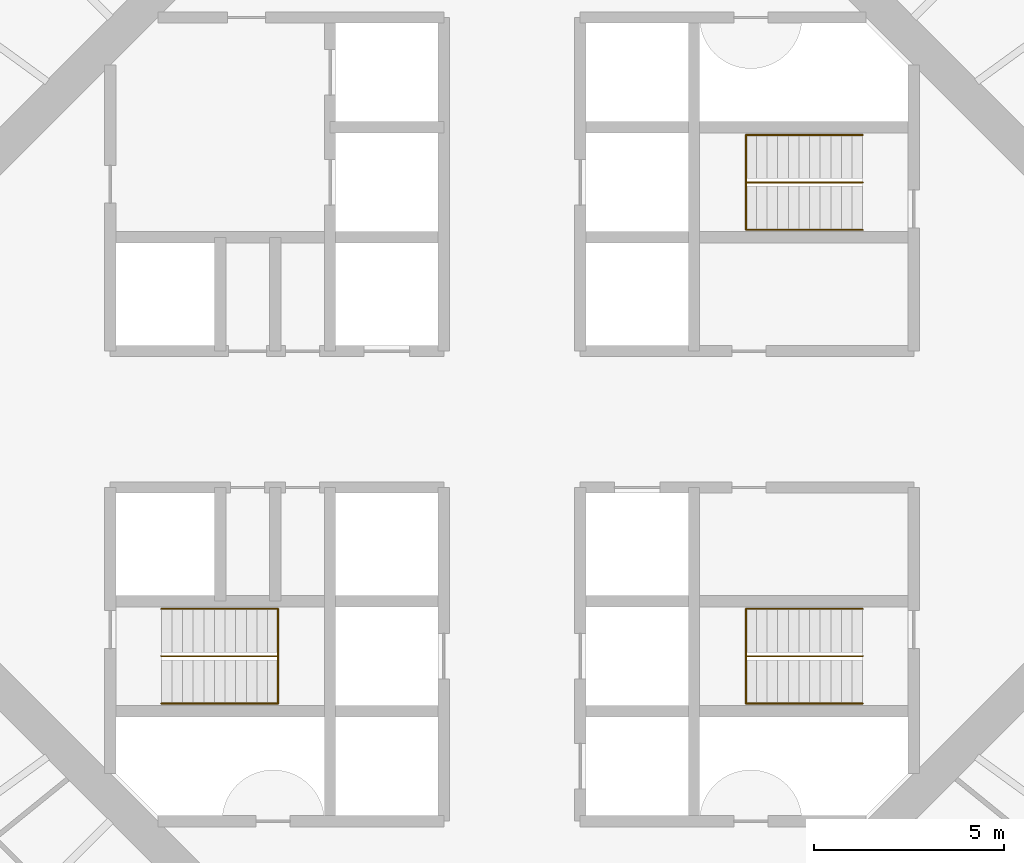
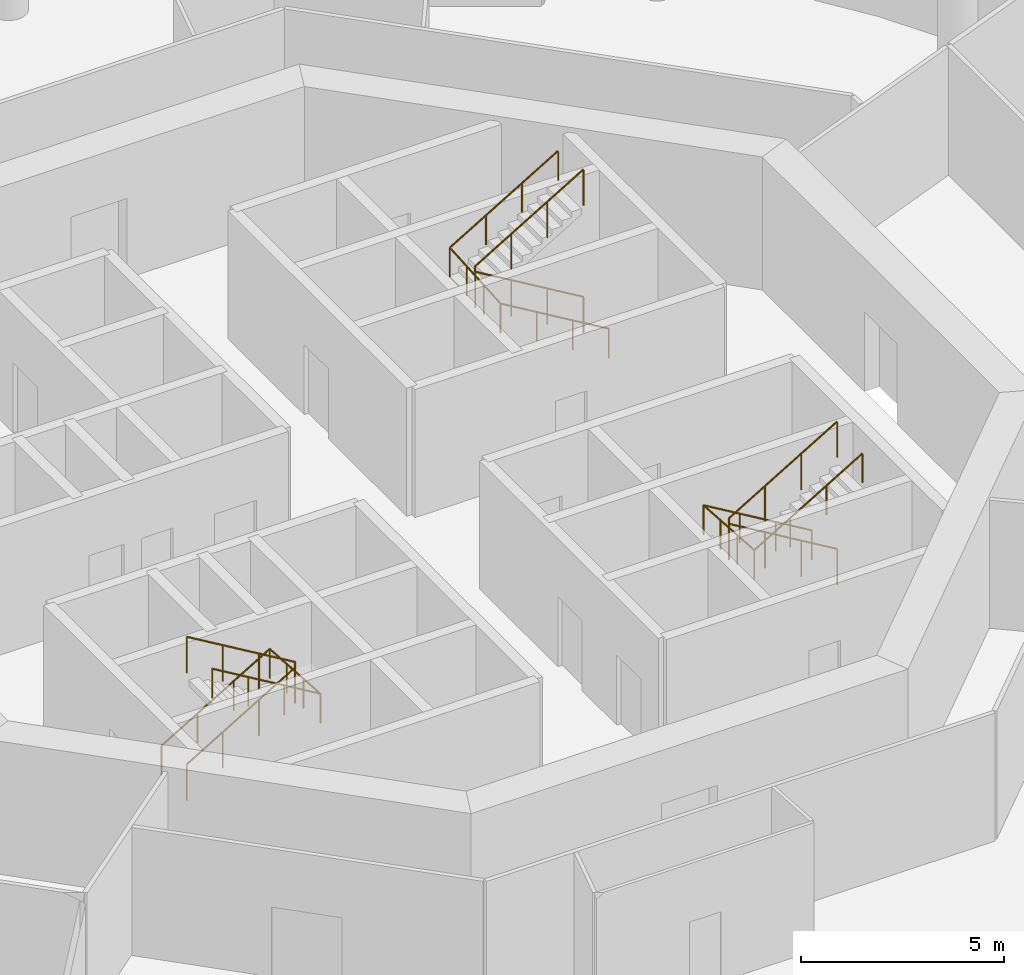
# One storey, part 12 of 12: 6 railings.
"""IFC4 building model written with IfcOpenShell, lengths in metres."""

import ifcopenshell
import ifcopenshell.guid

model = None  # the IFC model being written
_history = None  # IfcOwnerHistory: only IFC2X3 demands one
_inside = {}  # id of a spatial element -> (the spatial element, [elements in it])
_under = {}  # id of a project, library or spatial element -> (it, [spatial elements below it])
_declared = {}  # id of a project -> (the project, [libraries it declares])
_typed = {}  # id of a type object -> (the type object, [elements of that type])
_made_of = {}  # id of a material, layer set ... -> (it, [elements and type objects made of it])


def new_model(schema):
    """Start an empty IFC model of exactly this schema.

    Asked for "IFC4X3", IfcOpenShell would pick the latest addendum, in which some entities
    have other attributes; the version numbers below select the first issue.
    IFC2X3 requires an IfcOwnerHistory on every rooted entity: one is made here for all.
    """
    global model, _history
    if schema == "IFC4X3":
        model = ifcopenshell.file(schema_version=(4, 3, 0, 0))
    else:
        model = ifcopenshell.file(schema=schema)
    _inside.clear()
    _under.clear()
    _declared.clear()
    _typed.clear()
    _made_of.clear()
    _history = None
    if model.schema == "IFC2X3":
        org = make("IfcOrganization", Name="unknown")
        user = make(
            "IfcPersonAndOrganization",
            ThePerson=make("IfcPerson", FamilyName="unknown"),
            TheOrganization=org,
        )
        app = make(
            "IfcApplication",
            ApplicationDeveloper=org,
            Version="unknown",
            ApplicationFullName="unknown",
            ApplicationIdentifier="unknown",
        )
        _history = make(
            "IfcOwnerHistory",
            OwningUser=user,
            OwningApplication=app,
            ChangeAction="ADDED",
            CreationDate=0,
        )
    return model


def make(cls, **values):
    """One entity of the class cls with the attributes given. An attribute that is None is left unset."""
    return model.create_entity(
        cls, **{name: value for name, value in values.items() if value is not None}
    )


def rooted(cls, **values):
    """An entity with a GlobalId (a new one), such as an element, a storey or a relation."""
    return make(cls, GlobalId=ifcopenshell.guid.new(), OwnerHistory=_history, **values)


def si_unit(unit_type, name, prefix=None):
    """IfcSIUnit, for example si_unit("LENGTHUNIT", "METRE", prefix="MILLI")."""
    return make("IfcSIUnit", UnitType=unit_type, Prefix=prefix, Name=name)


def assignment(units):
    """IfcUnitAssignment: the units of a project."""
    return None if units is None else make("IfcUnitAssignment", Units=units)


def point(xyz):
    """IfcCartesianPoint."""
    return None if xyz is None else make("IfcCartesianPoint", Coordinates=xyz)


def direction(xyz):
    """IfcDirection."""
    return None if xyz is None else make("IfcDirection", DirectionRatios=xyz)


def frame(location, z_axis=None, x_axis=None):
    """IfcAxis2Placement3D, a coordinate frame: its origin and axes. An axis left out is left unset."""
    return make(
        "IfcAxis2Placement3D",
        Location=point(location),
        Axis=direction(z_axis),
        RefDirection=direction(x_axis),
    )


def frame_2d(location, x_axis=None):
    """IfcAxis2Placement2D, a coordinate frame in the plane: its origin and x axis."""
    return make(
        "IfcAxis2Placement2D", Location=point(location), RefDirection=direction(x_axis)
    )


def origin():
    """The frame at (0, 0, 0) with its axes left unset."""
    return frame((0.0, 0.0, 0.0))


def origin_2d():
    """The frame at (0, 0) in the plane with its x axis left unset."""
    return frame_2d((0.0, 0.0))


def place(relative_to, where):
    """IfcLocalPlacement: puts the frame where relative to a parent placement (None: the world)."""
    return make(
        "IfcLocalPlacement", PlacementRelTo=relative_to, RelativePlacement=where
    )


def context(
    kind, dimensions, precision=None, world=None, true_north=None, identifier=None
):
    """IfcGeometricRepresentationContext, for example the 3D "Model" context."""
    return make(
        "IfcGeometricRepresentationContext",
        ContextIdentifier=identifier,
        ContextType=kind,
        CoordinateSpaceDimension=dimensions,
        Precision=precision,
        WorldCoordinateSystem=world,
        TrueNorth=true_north,
    )


def subcontext(parent, identifier, kind, view, scale=None):
    """IfcGeometricRepresentationSubContext, for example "Body" below "Model"."""
    return make(
        "IfcGeometricRepresentationSubContext",
        ContextIdentifier=identifier,
        ContextType=kind,
        ParentContext=parent,
        TargetScale=scale,
        TargetView=view,
    )


def project(units=None, contexts=None):
    """IfcProject with its units and contexts."""
    return rooted(
        "IfcProject",
        Name="project",
        RepresentationContexts=contexts,
        UnitsInContext=assignment(units),
    )


def spatial(cls, under=None, at=None, **own):
    """A site, building, storey or space (cls), placed at a placement, below another one or the project."""
    s = rooted(cls, ObjectPlacement=at, **own)
    if under is not None:
        _under.setdefault(under.id(), (under, []))[1].append(s)
    return s


def profile(cls, at=None, kind="AREA", **sizes):
    """A parametric profile (cls). Its sizes go by their IFC names, for example OverallWidth=200.0."""
    return make(cls, ProfileType=kind, Position=at, **sizes)


def circle(**sizes):
    """IfcCircleProfileDef."""
    return profile("IfcCircleProfileDef", **sizes)


def extrude(swept, where, along, depth):
    """IfcExtrudedAreaSolid: the profile swept, set in the frame where, extruded along a direction by depth."""
    return make(
        "IfcExtrudedAreaSolid",
        SweptArea=swept,
        Position=where,
        ExtrudedDirection=direction(along),
        Depth=depth,
    )


def shape(context_of_items, identifier, shape_type, items):
    """IfcShapeRepresentation: the items that make up one representation, for example the "Body"."""
    return make(
        "IfcShapeRepresentation",
        ContextOfItems=context_of_items,
        RepresentationIdentifier=identifier,
        RepresentationType=shape_type,
        Items=items,
    )


def material(Name=None, Category=None):
    """IfcMaterial."""
    return make("IfcMaterial", Name=Name, Category=Category)


def made_of(thing, what):
    """Note that an element or type object is made of a material, layer set ...; save() writes the relation."""
    if what is not None:
        _made_of.setdefault(what.id(), (what, []))[1].append(thing)
    return thing


def type_object(cls, material=None, **own):
    """A type object (cls), such as IfcWallType, which elements share."""
    return made_of(rooted(cls, **own), material)


def element(
    cls,
    number,
    at=None,
    inside=None,
    cuts=None,
    type_object=None,
    material=None,
    context=None,
    identifier="Body",
    shape_type=None,
    held_by="IfcProductDefinitionShape",
    body=None,
    shapes=None,
    **own,
):
    """One element of the class cls, such as IfcWall. Its Tag is "e" and its number.

    at: its placement. inside: the storey or other place that contains it. cuts: it is an
    opening in that element (IfcRelVoidsElement). A single representation is given by context,
    identifier, shape_type and body (its items); several are given by shapes. held_by: the class
    of the entity that holds the representations. save() writes the other relations.
    """
    e = rooted(cls, Tag="e%d" % number, ObjectPlacement=at, **own)
    if body is not None:
        shapes = [shape(context, identifier, shape_type, body)]
    if shapes is not None:
        e.Representation = make(held_by, Representations=shapes)
    if inside is not None:
        _inside.setdefault(inside.id(), (inside, []))[1].append(e)
    if cuts is not None:
        rooted(
            "IfcRelVoidsElement", RelatingBuildingElement=cuts, RelatedOpeningElement=e
        )
    if type_object is not None:
        _typed.setdefault(type_object.id(), (type_object, []))[1].append(e)
    return made_of(e, material)


def aggregate(whole, parts):
    """IfcRelAggregates: a whole, such as a stair, and the parts it consists of."""
    return rooted("IfcRelAggregates", RelatingObject=whole, RelatedObjects=parts)


def save(model, path):
    """Write the relations noted so far, then the file.

    IfcRelAggregates (storeys below a building ...), IfcRelContainedInSpatialStructure (elements
    in a storey), IfcRelDefinesByType, IfcRelAssociatesMaterial and IfcRelDeclares: one each for
    every whole, place, type object, material and project.
    """
    for whole, parts in _under.values():
        aggregate(whole, parts)
    for where, things in _inside.values():
        rooted(
            "IfcRelContainedInSpatialStructure",
            RelatedElements=things,
            RelatingStructure=where,
        )
    for kind, things in _typed.values():
        rooted("IfcRelDefinesByType", RelatedObjects=things, RelatingType=kind)
    for what, things in _made_of.values():
        rooted("IfcRelAssociatesMaterial", RelatedObjects=things, RelatingMaterial=what)
    for by, libraries in _declared.values():
        rooted("IfcRelDeclares", RelatingContext=by, RelatedDefinitions=libraries)
    model.write(path)


model = new_model("IFC4")

# Units and contexts
model_context = context("Model", 3, precision=1e-05, world=origin(), true_north=direction((0.0, 1.0)))
body_context = subcontext(model_context, "Body", "Model", "MODEL_VIEW")
ifc_project = project(units=[si_unit("LENGTHUNIT", "METRE"), si_unit("AREAUNIT", "SQUARE_METRE"), si_unit("VOLUMEUNIT", "CUBIC_METRE"), si_unit("PLANEANGLEUNIT", "RADIAN"), si_unit("MASSUNIT", "GRAM", prefix="KILO")], contexts=[model_context])

# Site, building, storey
site_placement = place(None, origin())
site = spatial("IfcSite", under=ifc_project, at=site_placement, CompositionType="ELEMENT")
building_placement = place(site_placement, origin())
building = spatial("IfcBuilding", under=site, at=building_placement, Name="Entoto Ring Tower", CompositionType="ELEMENT")
storey_placement = place(building_placement, frame((0.0, 0.0, 238.0)))
storey = spatial("IfcBuildingStorey", under=building, at=storey_placement, Name="L54", CompositionType="ELEMENT", Elevation=238.0)

# Railings
ifc_material_1 = material(Name="Steel S275", Category="steel")
railing_type_1 = type_object("IfcRailingType", Name="Stair guard 1100 mm steel", PredefinedType="GUARDRAIL", material=ifc_material_1)
railing_1_placement = place(storey_placement, frame((99.25, 86.25, 0.166748046875)))
element("IfcRailing", 1, at=railing_1_placement, inside=storey, type_object=railing_type_1, Name="Guard ST1", PredefinedType="GUARDRAIL", context=body_context, shape_type="SweptSolid", body=[
    extrude(circle(Radius=0.02392578125, at=origin_2d()), frame((0.0, 0.0, 1.076171875), z_axis=(-0.859308565015, 0.0, 0.511457515432), x_axis=(0.0, -1.0, 0.0)), (0.0, 0.0, 1.0), 3.58447265625),
    extrude(circle(Radius=0.02392578125, at=origin_2d()), frame((-3.080078125, 0.0, 2.9091796875), z_axis=(0.0, 0.0, 1.0), x_axis=(1.0, 0.0, 0.0)), (0.0, 0.0, 1.0), 0.166748046875),
    extrude(circle(Radius=0.02392578125, at=origin_2d()), frame((-3.080078125, 0.0, 3.076171875), z_axis=(0.859308565015, 0.0, 0.511457515432), x_axis=(0.0, 1.0, 0.0)), (0.0, 0.0, 1.0), 3.58447265625),
    extrude(circle(Radius=0.02099609375, at=origin_2d()), origin(), (0.0, 0.0, 1.0), 1.052001953125),
    extrude(circle(Radius=0.02099609375, at=origin_2d()), frame((-1.026611328125, 0.0, 0.611083984375)), (0.0, 0.0, 1.0), 1.052001953125),
    extrude(circle(Radius=0.02099609375, at=origin_2d()), frame((-2.053466796875, 0.0, 1.22216796875)), (0.0, 0.0, 1.0), 1.052001953125),
    extrude(circle(Radius=0.02099609375, at=origin_2d()), frame((-3.080078125, 0.0, 1.833251953125)), (0.0, 0.0, 1.0), 1.052001953125),
    extrude(circle(Radius=0.02099609375, at=origin_2d()), frame((-3.080078125, 0.0, 2.0)), (0.0, 0.0, 1.0), 1.052001953125),
    extrude(circle(Radius=0.02099609375, at=origin_2d()), frame((-2.053466796875, 0.0, 2.611083984375)), (0.0, 0.0, 1.0), 1.052001953125),
    extrude(circle(Radius=0.02099609375, at=origin_2d()), frame((-1.026611328125, 0.0, 3.22216796875)), (0.0, 0.0, 1.0), 1.052001953125),
    extrude(circle(Radius=0.02099609375, at=origin_2d()), frame((0.0, 0.0, 3.833251953125)), (0.0, 0.0, 1.0), 1.052001953125),
])
railing_2_placement = place(storey_placement, frame((80.75, 73.75, 0.166748046875)))
element("IfcRailing", 2, at=railing_2_placement, inside=storey, type_object=railing_type_1, Name="Guard ST2", PredefinedType="GUARDRAIL", context=body_context, shape_type="SweptSolid", body=[
    extrude(circle(Radius=0.02392578125, at=origin_2d()), frame((0.0, 0.0, 1.076171875), z_axis=(0.859308565015, 0.0, 0.511457515432), x_axis=(0.0, 1.0, 0.0)), (0.0, 0.0, 1.0), 3.58447265625),
    extrude(circle(Radius=0.02392578125, at=origin_2d()), frame((3.080078125, 0.0, 2.9091796875), z_axis=(0.0, 0.0, 1.0), x_axis=(1.0, 0.0, 0.0)), (0.0, 0.0, 1.0), 0.166748046875),
    extrude(circle(Radius=0.02392578125, at=origin_2d()), frame((3.080078125, 0.0, 3.076171875), z_axis=(-0.859308565015, 0.0, 0.511457515432), x_axis=(0.0, -1.0, 0.0)), (0.0, 0.0, 1.0), 3.58447265625),
    extrude(circle(Radius=0.02099609375, at=origin_2d()), origin(), (0.0, 0.0, 1.0), 1.052001953125),
    extrude(circle(Radius=0.02099609375, at=origin_2d()), frame((1.026611328125, 0.0, 0.611083984375)), (0.0, 0.0, 1.0), 1.052001953125),
    extrude(circle(Radius=0.02099609375, at=origin_2d()), frame((2.053466796875, 0.0, 1.22216796875)), (0.0, 0.0, 1.0), 1.052001953125),
    extrude(circle(Radius=0.02099609375, at=origin_2d()), frame((3.080078125, 0.0, 1.833251953125)), (0.0, 0.0, 1.0), 1.052001953125),
    extrude(circle(Radius=0.02099609375, at=origin_2d()), frame((3.080078125, 0.0, 2.0)), (0.0, 0.0, 1.0), 1.052001953125),
    extrude(circle(Radius=0.02099609375, at=origin_2d()), frame((2.053466796875, 0.0, 2.611083984375)), (0.0, 0.0, 1.0), 1.052001953125),
    extrude(circle(Radius=0.02099609375, at=origin_2d()), frame((1.026611328125, 0.0, 3.22216796875)), (0.0, 0.0, 1.0), 1.052001953125),
    extrude(circle(Radius=0.02099609375, at=origin_2d()), frame((0.0, 0.0, 3.833251953125)), (0.0, 0.0, 1.0), 1.052001953125),
])
railing_3_placement = place(storey_placement, frame((99.25, 73.75, 0.166748046875)))
element("IfcRailing", 3, at=railing_3_placement, inside=storey, type_object=railing_type_1, Name="Guard ST3", PredefinedType="GUARDRAIL", context=body_context, shape_type="SweptSolid", body=[
    extrude(circle(Radius=0.02392578125, at=origin_2d()), frame((0.0, 0.0, 1.076171875), z_axis=(-0.859308565015, 0.0, 0.511457515432), x_axis=(0.0, -1.0, 0.0)), (0.0, 0.0, 1.0), 3.58447265625),
    extrude(circle(Radius=0.02392578125, at=origin_2d()), frame((-3.080078125, 0.0, 2.9091796875), z_axis=(0.0, 0.0, 1.0), x_axis=(1.0, 0.0, 0.0)), (0.0, 0.0, 1.0), 0.166748046875),
    extrude(circle(Radius=0.02392578125, at=origin_2d()), frame((-3.080078125, 0.0, 3.076171875), z_axis=(0.859308565015, 0.0, 0.511457515432), x_axis=(0.0, 1.0, 0.0)), (0.0, 0.0, 1.0), 3.58447265625),
    extrude(circle(Radius=0.02099609375, at=origin_2d()), origin(), (0.0, 0.0, 1.0), 1.052001953125),
    extrude(circle(Radius=0.02099609375, at=origin_2d()), frame((-1.026611328125, 0.0, 0.611083984375)), (0.0, 0.0, 1.0), 1.052001953125),
    extrude(circle(Radius=0.02099609375, at=origin_2d()), frame((-2.053466796875, 0.0, 1.22216796875)), (0.0, 0.0, 1.0), 1.052001953125),
    extrude(circle(Radius=0.02099609375, at=origin_2d()), frame((-3.080078125, 0.0, 1.833251953125)), (0.0, 0.0, 1.0), 1.052001953125),
    extrude(circle(Radius=0.02099609375, at=origin_2d()), frame((-3.080078125, 0.0, 2.0)), (0.0, 0.0, 1.0), 1.052001953125),
    extrude(circle(Radius=0.02099609375, at=origin_2d()), frame((-2.053466796875, 0.0, 2.611083984375)), (0.0, 0.0, 1.0), 1.052001953125),
    extrude(circle(Radius=0.02099609375, at=origin_2d()), frame((-1.026611328125, 0.0, 3.22216796875)), (0.0, 0.0, 1.0), 1.052001953125),
    extrude(circle(Radius=0.02099609375, at=origin_2d()), frame((0.0, 0.0, 3.833251953125)), (0.0, 0.0, 1.0), 1.052001953125),
])
ifc_material_2 = material(Name="Steel S275", Category="steel")
railing_type_2 = type_object("IfcRailingType", Name="Stair handrail 900 mm steel", PredefinedType="HANDRAIL", material=ifc_material_2)
railing_4_placement = place(storey_placement, frame((99.25, 85.0, 0.166748046875)))
element("IfcRailing", 4, at=railing_4_placement, inside=storey, type_object=railing_type_2, Name="Handrail ST1", PredefinedType="HANDRAIL", context=body_context, shape_type="SweptSolid", body=[
    extrude(circle(Radius=0.02392578125, at=origin_2d()), frame((0.0, 0.0, 0.8759765625), z_axis=(-0.859308565015, 0.0, 0.511457515432), x_axis=(0.0, -1.0, 0.0)), (0.0, 0.0, 1.0), 3.58447265625),
    extrude(circle(Radius=0.02392578125, at=origin_2d()), frame((-3.080078125, 0.0, 2.708984375), z_axis=(0.0, 0.997783001586, 0.066551346688), x_axis=(-1.0, 0.0, 0.0)), (0.0, 0.0, 1.0), 2.505615234375),
    extrude(circle(Radius=0.02392578125, at=origin_2d()), frame((-3.080078125, 2.5, 2.8759765625), z_axis=(0.859308565015, 0.0, 0.511457515432), x_axis=(0.0, 1.0, 0.0)), (0.0, 0.0, 1.0), 3.58447265625),
    extrude(circle(Radius=0.02099609375, at=origin_2d()), origin(), (0.0, 0.0, 1.0), 0.851806640625),
    extrude(circle(Radius=0.02099609375, at=origin_2d()), frame((-1.026611328125, 0.0, 0.611083984375)), (0.0, 0.0, 1.0), 0.851806640625),
    extrude(circle(Radius=0.02099609375, at=origin_2d()), frame((-2.053466796875, 0.0, 1.22216796875)), (0.0, 0.0, 1.0), 0.851806640625),
    extrude(circle(Radius=0.02099609375, at=origin_2d()), frame((-3.080078125, 0.0, 1.833251953125)), (0.0, 0.0, 1.0), 0.851806640625),
    extrude(circle(Radius=0.02099609375, at=origin_2d()), frame((-3.080078125, 0.833251953125, 1.888916015625)), (0.0, 0.0, 1.0), 0.851806640625),
    extrude(circle(Radius=0.02099609375, at=origin_2d()), frame((-3.080078125, 1.666748046875, 1.9443359375)), (0.0, 0.0, 1.0), 0.851806640625),
    extrude(circle(Radius=0.02099609375, at=origin_2d()), frame((-3.080078125, 2.5, 2.0)), (0.0, 0.0, 1.0), 0.851806640625),
    extrude(circle(Radius=0.02099609375, at=origin_2d()), frame((-2.053466796875, 2.5, 2.611083984375)), (0.0, 0.0, 1.0), 0.851806640625),
    extrude(circle(Radius=0.02099609375, at=origin_2d()), frame((-1.026611328125, 2.5, 3.22216796875)), (0.0, 0.0, 1.0), 0.851806640625),
    extrude(circle(Radius=0.02099609375, at=origin_2d()), frame((0.0, 2.5, 3.833251953125)), (0.0, 0.0, 1.0), 0.851806640625),
])
railing_5_placement = place(storey_placement, frame((80.75, 75.0, 0.166748046875)))
element("IfcRailing", 5, at=railing_5_placement, inside=storey, type_object=railing_type_2, Name="Handrail ST2", PredefinedType="HANDRAIL", context=body_context, shape_type="SweptSolid", body=[
    extrude(circle(Radius=0.02392578125, at=origin_2d()), frame((0.0, 0.0, 0.8759765625), z_axis=(0.859308565015, 0.0, 0.511457515432), x_axis=(0.0, 1.0, 0.0)), (0.0, 0.0, 1.0), 3.58447265625),
    extrude(circle(Radius=0.02392578125, at=origin_2d()), frame((3.080078125, 0.0, 2.708984375), z_axis=(0.0, -0.997783001586, 0.066551346688), x_axis=(1.0, 0.0, 0.0)), (0.0, 0.0, 1.0), 2.505615234375),
    extrude(circle(Radius=0.02392578125, at=origin_2d()), frame((3.080078125, -2.5, 2.8759765625), z_axis=(-0.859308565015, 0.0, 0.511457515432), x_axis=(0.0, -1.0, 0.0)), (0.0, 0.0, 1.0), 3.58447265625),
    extrude(circle(Radius=0.02099609375, at=origin_2d()), origin(), (0.0, 0.0, 1.0), 0.851806640625),
    extrude(circle(Radius=0.02099609375, at=origin_2d()), frame((1.026611328125, 0.0, 0.611083984375)), (0.0, 0.0, 1.0), 0.851806640625),
    extrude(circle(Radius=0.02099609375, at=origin_2d()), frame((2.053466796875, 0.0, 1.22216796875)), (0.0, 0.0, 1.0), 0.851806640625),
    extrude(circle(Radius=0.02099609375, at=origin_2d()), frame((3.080078125, 0.0, 1.833251953125)), (0.0, 0.0, 1.0), 0.851806640625),
    extrude(circle(Radius=0.02099609375, at=origin_2d()), frame((3.080078125, -0.833251953125, 1.888916015625)), (0.0, 0.0, 1.0), 0.851806640625),
    extrude(circle(Radius=0.02099609375, at=origin_2d()), frame((3.080078125, -1.666748046875, 1.9443359375)), (0.0, 0.0, 1.0), 0.851806640625),
    extrude(circle(Radius=0.02099609375, at=origin_2d()), frame((3.080078125, -2.5, 2.0)), (0.0, 0.0, 1.0), 0.851806640625),
    extrude(circle(Radius=0.02099609375, at=origin_2d()), frame((2.053466796875, -2.5, 2.611083984375)), (0.0, 0.0, 1.0), 0.851806640625),
    extrude(circle(Radius=0.02099609375, at=origin_2d()), frame((1.026611328125, -2.5, 3.22216796875)), (0.0, 0.0, 1.0), 0.851806640625),
    extrude(circle(Radius=0.02099609375, at=origin_2d()), frame((0.0, -2.5, 3.833251953125)), (0.0, 0.0, 1.0), 0.851806640625),
])
railing_6_placement = place(storey_placement, frame((99.25, 75.0, 0.166748046875)))
element("IfcRailing", 6, at=railing_6_placement, inside=storey, type_object=railing_type_2, Name="Handrail ST3", PredefinedType="HANDRAIL", context=body_context, shape_type="SweptSolid", body=[
    extrude(circle(Radius=0.02392578125, at=origin_2d()), frame((0.0, 0.0, 0.8759765625), z_axis=(-0.859308565015, 0.0, 0.511457515432), x_axis=(0.0, -1.0, 0.0)), (0.0, 0.0, 1.0), 3.58447265625),
    extrude(circle(Radius=0.02392578125, at=origin_2d()), frame((-3.080078125, 0.0, 2.708984375), z_axis=(0.0, -0.997783001586, 0.066551346688), x_axis=(1.0, 0.0, 0.0)), (0.0, 0.0, 1.0), 2.505615234375),
    extrude(circle(Radius=0.02392578125, at=origin_2d()), frame((-3.080078125, -2.5, 2.8759765625), z_axis=(0.859308565015, 0.0, 0.511457515432), x_axis=(0.0, 1.0, 0.0)), (0.0, 0.0, 1.0), 3.58447265625),
    extrude(circle(Radius=0.02099609375, at=origin_2d()), origin(), (0.0, 0.0, 1.0), 0.851806640625),
    extrude(circle(Radius=0.02099609375, at=origin_2d()), frame((-1.026611328125, 0.0, 0.611083984375)), (0.0, 0.0, 1.0), 0.851806640625),
    extrude(circle(Radius=0.02099609375, at=origin_2d()), frame((-2.053466796875, 0.0, 1.22216796875)), (0.0, 0.0, 1.0), 0.851806640625),
    extrude(circle(Radius=0.02099609375, at=origin_2d()), frame((-3.080078125, 0.0, 1.833251953125)), (0.0, 0.0, 1.0), 0.851806640625),
    extrude(circle(Radius=0.02099609375, at=origin_2d()), frame((-3.080078125, -0.833251953125, 1.888916015625)), (0.0, 0.0, 1.0), 0.851806640625),
    extrude(circle(Radius=0.02099609375, at=origin_2d()), frame((-3.080078125, -1.666748046875, 1.9443359375)), (0.0, 0.0, 1.0), 0.851806640625),
    extrude(circle(Radius=0.02099609375, at=origin_2d()), frame((-3.080078125, -2.5, 2.0)), (0.0, 0.0, 1.0), 0.851806640625),
    extrude(circle(Radius=0.02099609375, at=origin_2d()), frame((-2.053466796875, -2.5, 2.611083984375)), (0.0, 0.0, 1.0), 0.851806640625),
    extrude(circle(Radius=0.02099609375, at=origin_2d()), frame((-1.026611328125, -2.5, 3.22216796875)), (0.0, 0.0, 1.0), 0.851806640625),
    extrude(circle(Radius=0.02099609375, at=origin_2d()), frame((0.0, -2.5, 3.833251953125)), (0.0, 0.0, 1.0), 0.851806640625),
])

save(model, "model.ifc")
